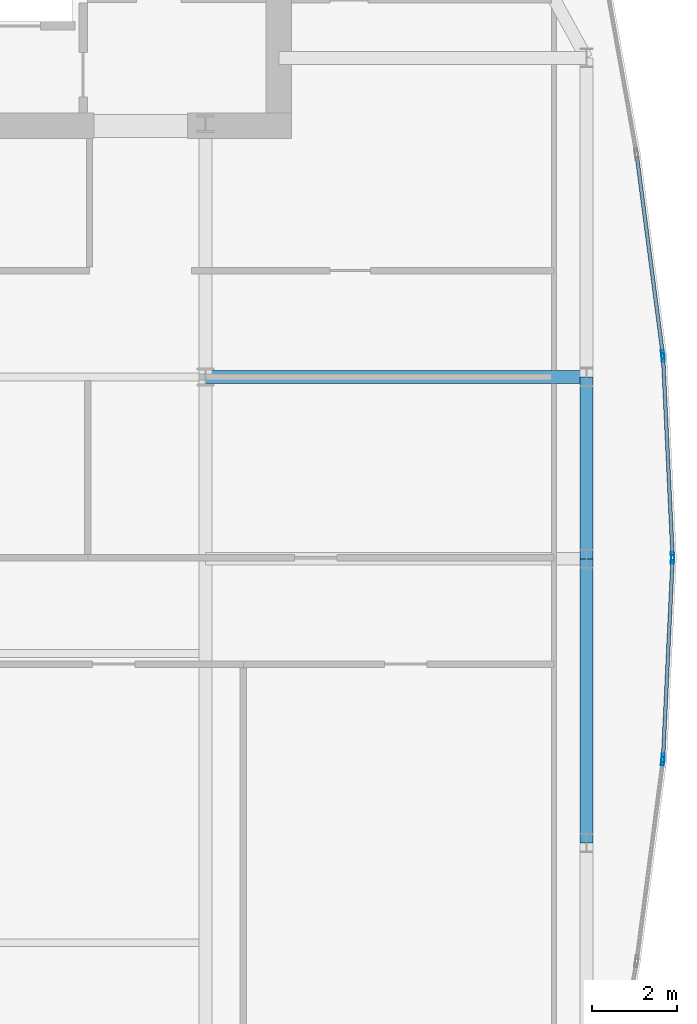
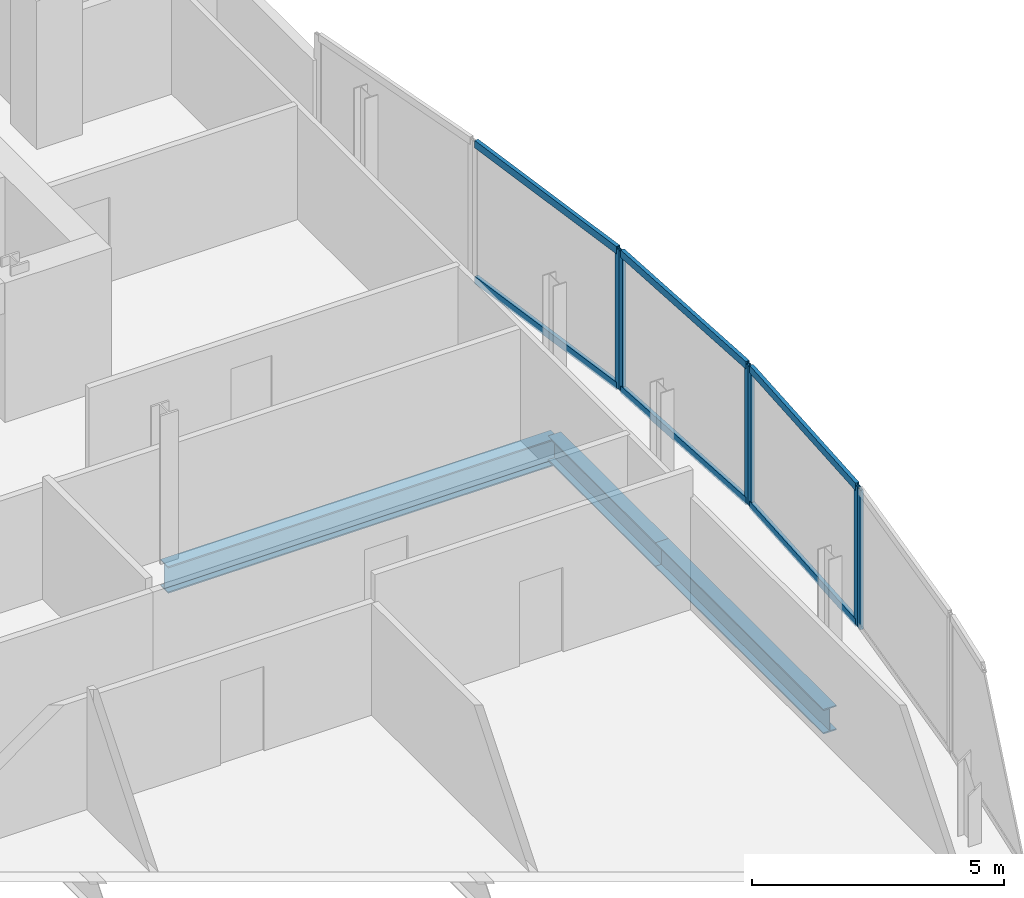
# One storey, part 18 of 30: 12 members, 3 beams, 4 elements without a shape of their own.
"""IFC4 building model written with IfcOpenShell, lengths in metres."""

import ifcopenshell
import ifcopenshell.guid

model = None  # the IFC model being written
_history = None  # IfcOwnerHistory: only IFC2X3 demands one
_inside = {}  # id of a spatial element -> (the spatial element, [elements in it])
_under = {}  # id of a project, library or spatial element -> (it, [spatial elements below it])
_declared = {}  # id of a project -> (the project, [libraries it declares])
_typed = {}  # id of a type object -> (the type object, [elements of that type])
_made_of = {}  # id of a material, layer set ... -> (it, [elements and type objects made of it])


def new_model(schema):
    """Start an empty IFC model of exactly this schema.

    Asked for "IFC4X3", IfcOpenShell would pick the latest addendum, in which some entities
    have other attributes; the version numbers below select the first issue.
    IFC2X3 requires an IfcOwnerHistory on every rooted entity: one is made here for all.
    """
    global model, _history
    if schema == "IFC4X3":
        model = ifcopenshell.file(schema_version=(4, 3, 0, 0))
    else:
        model = ifcopenshell.file(schema=schema)
    _inside.clear()
    _under.clear()
    _declared.clear()
    _typed.clear()
    _made_of.clear()
    _history = None
    if model.schema == "IFC2X3":
        org = make("IfcOrganization", Name="unknown")
        user = make(
            "IfcPersonAndOrganization",
            ThePerson=make("IfcPerson", FamilyName="unknown"),
            TheOrganization=org,
        )
        app = make(
            "IfcApplication",
            ApplicationDeveloper=org,
            Version="unknown",
            ApplicationFullName="unknown",
            ApplicationIdentifier="unknown",
        )
        _history = make(
            "IfcOwnerHistory",
            OwningUser=user,
            OwningApplication=app,
            ChangeAction="ADDED",
            CreationDate=0,
        )
    return model


def make(cls, **values):
    """One entity of the class cls with the attributes given. An attribute that is None is left unset."""
    return model.create_entity(
        cls, **{name: value for name, value in values.items() if value is not None}
    )


def rooted(cls, **values):
    """An entity with a GlobalId (a new one), such as an element, a storey or a relation."""
    return make(cls, GlobalId=ifcopenshell.guid.new(), OwnerHistory=_history, **values)


def si_unit(unit_type, name, prefix=None):
    """IfcSIUnit, for example si_unit("LENGTHUNIT", "METRE", prefix="MILLI")."""
    return make("IfcSIUnit", UnitType=unit_type, Prefix=prefix, Name=name)


def assignment(units):
    """IfcUnitAssignment: the units of a project."""
    return None if units is None else make("IfcUnitAssignment", Units=units)


def point(xyz):
    """IfcCartesianPoint."""
    return None if xyz is None else make("IfcCartesianPoint", Coordinates=xyz)


def direction(xyz):
    """IfcDirection."""
    return None if xyz is None else make("IfcDirection", DirectionRatios=xyz)


def frame(location, z_axis=None, x_axis=None):
    """IfcAxis2Placement3D, a coordinate frame: its origin and axes. An axis left out is left unset."""
    return make(
        "IfcAxis2Placement3D",
        Location=point(location),
        Axis=direction(z_axis),
        RefDirection=direction(x_axis),
    )


def frame_2d(location, x_axis=None):
    """IfcAxis2Placement2D, a coordinate frame in the plane: its origin and x axis."""
    return make(
        "IfcAxis2Placement2D", Location=point(location), RefDirection=direction(x_axis)
    )


def origin():
    """The frame at (0, 0, 0) with its axes left unset."""
    return frame((0.0, 0.0, 0.0))


def origin_2d():
    """The frame at (0, 0) in the plane with its x axis left unset."""
    return frame_2d((0.0, 0.0))


def place(relative_to, where):
    """IfcLocalPlacement: puts the frame where relative to a parent placement (None: the world)."""
    return make(
        "IfcLocalPlacement", PlacementRelTo=relative_to, RelativePlacement=where
    )


def context(
    kind, dimensions, precision=None, world=None, true_north=None, identifier=None
):
    """IfcGeometricRepresentationContext, for example the 3D "Model" context."""
    return make(
        "IfcGeometricRepresentationContext",
        ContextIdentifier=identifier,
        ContextType=kind,
        CoordinateSpaceDimension=dimensions,
        Precision=precision,
        WorldCoordinateSystem=world,
        TrueNorth=true_north,
    )


def subcontext(parent, identifier, kind, view, scale=None):
    """IfcGeometricRepresentationSubContext, for example "Body" below "Model"."""
    return make(
        "IfcGeometricRepresentationSubContext",
        ContextIdentifier=identifier,
        ContextType=kind,
        ParentContext=parent,
        TargetScale=scale,
        TargetView=view,
    )


def project(units=None, contexts=None):
    """IfcProject with its units and contexts."""
    return rooted(
        "IfcProject",
        Name="project",
        RepresentationContexts=contexts,
        UnitsInContext=assignment(units),
    )


def spatial(cls, under=None, at=None, **own):
    """A site, building, storey or space (cls), placed at a placement, below another one or the project."""
    s = rooted(cls, ObjectPlacement=at, **own)
    if under is not None:
        _under.setdefault(under.id(), (under, []))[1].append(s)
    return s


def profile(cls, at=None, kind="AREA", **sizes):
    """A parametric profile (cls). Its sizes go by their IFC names, for example OverallWidth=200.0."""
    return make(cls, ProfileType=kind, Position=at, **sizes)


def hollow_rectangle(**sizes):
    """IfcRectangleHollowProfileDef."""
    return profile("IfcRectangleHollowProfileDef", **sizes)


def i_section(**sizes):
    """IfcIShapeProfileDef."""
    return profile("IfcIShapeProfileDef", **sizes)


def extrude(swept, where, along, depth):
    """IfcExtrudedAreaSolid: the profile swept, set in the frame where, extruded along a direction by depth."""
    return make(
        "IfcExtrudedAreaSolid",
        SweptArea=swept,
        Position=where,
        ExtrudedDirection=direction(along),
        Depth=depth,
    )


def shape(context_of_items, identifier, shape_type, items):
    """IfcShapeRepresentation: the items that make up one representation, for example the "Body"."""
    return make(
        "IfcShapeRepresentation",
        ContextOfItems=context_of_items,
        RepresentationIdentifier=identifier,
        RepresentationType=shape_type,
        Items=items,
    )


def material(Name=None, Category=None):
    """IfcMaterial."""
    return make("IfcMaterial", Name=Name, Category=Category)


def material_profile(
    of_material, cross_section, Name=None, Category=None, Priority=None
):
    """IfcMaterialProfile: a cross section and its material."""
    return make(
        "IfcMaterialProfile",
        Name=Name,
        Material=of_material,
        Profile=cross_section,
        Priority=Priority,
        Category=Category,
    )


def profile_set(profiles, Name=None, composite=None):
    """IfcMaterialProfileSet."""
    return make(
        "IfcMaterialProfileSet",
        Name=Name,
        MaterialProfiles=profiles,
        CompositeProfile=composite,
    )


def made_of(thing, what):
    """Note that an element or type object is made of a material, layer set ...; save() writes the relation."""
    if what is not None:
        _made_of.setdefault(what.id(), (what, []))[1].append(thing)
    return thing


def type_object(cls, material=None, **own):
    """A type object (cls), such as IfcWallType, which elements share."""
    return made_of(rooted(cls, **own), material)


def element(
    cls,
    number,
    at=None,
    inside=None,
    cuts=None,
    type_object=None,
    material=None,
    context=None,
    identifier="Body",
    shape_type=None,
    held_by="IfcProductDefinitionShape",
    body=None,
    shapes=None,
    **own,
):
    """One element of the class cls, such as IfcWall. Its Tag is "e" and its number.

    at: its placement. inside: the storey or other place that contains it. cuts: it is an
    opening in that element (IfcRelVoidsElement). A single representation is given by context,
    identifier, shape_type and body (its items); several are given by shapes. held_by: the class
    of the entity that holds the representations. save() writes the other relations.
    """
    e = rooted(cls, Tag="e%d" % number, ObjectPlacement=at, **own)
    if body is not None:
        shapes = [shape(context, identifier, shape_type, body)]
    if shapes is not None:
        e.Representation = make(held_by, Representations=shapes)
    if inside is not None:
        _inside.setdefault(inside.id(), (inside, []))[1].append(e)
    if cuts is not None:
        rooted(
            "IfcRelVoidsElement", RelatingBuildingElement=cuts, RelatedOpeningElement=e
        )
    if type_object is not None:
        _typed.setdefault(type_object.id(), (type_object, []))[1].append(e)
    return made_of(e, material)


def aggregate(whole, parts):
    """IfcRelAggregates: a whole, such as a stair, and the parts it consists of."""
    return rooted("IfcRelAggregates", RelatingObject=whole, RelatedObjects=parts)


def save(model, path):
    """Write the relations noted so far, then the file.

    IfcRelAggregates (storeys below a building ...), IfcRelContainedInSpatialStructure (elements
    in a storey), IfcRelDefinesByType, IfcRelAssociatesMaterial and IfcRelDeclares: one each for
    every whole, place, type object, material and project.
    """
    for whole, parts in _under.values():
        aggregate(whole, parts)
    for where, things in _inside.values():
        rooted(
            "IfcRelContainedInSpatialStructure",
            RelatedElements=things,
            RelatingStructure=where,
        )
    for kind, things in _typed.values():
        rooted("IfcRelDefinesByType", RelatedObjects=things, RelatingType=kind)
    for what, things in _made_of.values():
        rooted("IfcRelAssociatesMaterial", RelatedObjects=things, RelatingMaterial=what)
    for by, libraries in _declared.values():
        rooted("IfcRelDeclares", RelatingContext=by, RelatedDefinitions=libraries)
    model.write(path)


model = new_model("IFC4")

# Units and contexts
model_context = context("Model", 3, precision=1e-05, world=origin(), true_north=direction((0.0, 1.0)))
body_context = subcontext(model_context, "Body", "Model", "MODEL_VIEW")
ifc_project = project(units=[si_unit("LENGTHUNIT", "METRE"), si_unit("AREAUNIT", "SQUARE_METRE"), si_unit("VOLUMEUNIT", "CUBIC_METRE"), si_unit("PLANEANGLEUNIT", "RADIAN"), si_unit("MASSUNIT", "GRAM", prefix="KILO")], contexts=[model_context])

# Site, building, storey
site_placement = place(None, origin())
site = spatial("IfcSite", under=ifc_project, at=site_placement, CompositionType="ELEMENT")
building_placement = place(site_placement, origin())
building = spatial("IfcBuilding", under=site, at=building_placement, Name="Khoronbel Lancet Exchange", CompositionType="ELEMENT")
storey_placement = place(building_placement, frame((0.0, 0.0, 253.39990234375)))
storey = spatial("IfcBuildingStorey", under=building, at=storey_placement, Name="L65", CompositionType="ELEMENT", Elevation=253.39990234375)

# Beams
ifc_material_1 = material(Name="Steel S355", Category="steel")
ifc_material_profile_1 = material_profile(ifc_material_1, i_section(OverallWidth=0.300048828125, OverallDepth=0.64990234375, WebThickness=0.01611328125, FlangeThickness=0.031005859375, at=origin_2d()), Name="HEB 650")
ifc_profile_set_1 = profile_set([ifc_material_profile_1], Name="Steel S355")
beam_type_1 = type_object("IfcBeamType", Name="BM-BG4", PredefinedType="BEAM", material=ifc_profile_set_1)
beam_1_placement = place(storey_placement, frame((54.675048828125, 35.699951171875, -0.48486328125), z_axis=(1.0, 0.0, 0.0), x_axis=(0.0, 1.0, 0.0)))
element("IfcBeam", 1, at=beam_1_placement, inside=storey, type_object=beam_type_1, Name="Level L65 east lens tie girder LG4E", PredefinedType="BEAM", context=body_context, shape_type="SweptSolid", body=[
    extrude(i_section(OverallWidth=0.300048828125, OverallDepth=0.64990234375, WebThickness=0.01611328125, FlangeThickness=0.031005859375, at=origin_2d()), origin(), (0.0, 0.0, 1.0), 8.954833984375),
])
ifc_material_profile_2 = material_profile(ifc_material_1, i_section(OverallWidth=0.300048828125, OverallDepth=0.60009765625, WebThickness=0.015380859375, FlangeThickness=0.030029296875, at=origin_2d()), Name="HEB 600")
ifc_profile_set_2 = profile_set([ifc_material_profile_2], Name="Steel S355")
beam_type_2 = type_object("IfcBeamType", Name="BM-BSP2", PredefinedType="SPANDREL", material=ifc_profile_set_2)
beam_2_placement = place(storey_placement, frame((63.6298828125, 24.75, -0.4599609375), z_axis=(0.0, 1.0, 0.0), x_axis=(-1.0, 0.0, 0.0)))
element("IfcBeam", 2, at=beam_2_placement, inside=storey, type_object=beam_type_2, Name="Level L65 perimeter spandrel beam SP12", PredefinedType="SPANDREL", context=body_context, shape_type="SweptSolid", body=[
    extrude(i_section(OverallWidth=0.300048828125, OverallDepth=0.60009765625, WebThickness=0.015380859375, FlangeThickness=0.030029296875, at=origin_2d()), origin(), (0.0, 0.0, 1.0), 6.675048828125),
])
beam_3_placement = place(storey_placement, frame((63.6298828125, 31.425048828125, -0.4599609375), z_axis=(0.0, 1.0, 0.0), x_axis=(-1.0, 0.0, 0.0)))
element("IfcBeam", 3, at=beam_3_placement, inside=storey, type_object=beam_type_2, Name="Level L65 perimeter spandrel beam SP13", PredefinedType="SPANDREL", context=body_context, shape_type="SweptSolid", body=[
    extrude(i_section(OverallWidth=0.300048828125, OverallDepth=0.60009765625, WebThickness=0.015380859375, FlangeThickness=0.030029296875, at=origin_2d()), origin(), (0.0, 0.0, 1.0), 4.27490234375),
])

# Curtain wall, member
ifc_material_2 = material(Name="Low-E Solar Control Insulating Glass", Category="glass")
curtain_wall_type = type_object("IfcCurtainWallType", Name="CW-4", PredefinedType="NOTDEFINED", material=ifc_material_2)
curtain_wall_1_placement = place(storey_placement, origin())
curtain_wall_1 = element("IfcCurtainWall", 4, at=curtain_wall_1_placement, inside=storey, type_object=curtain_wall_type, Name="Unitised curtain wall CW-L65-E18", PredefinedType="NOTDEFINED")
ifc_material_3 = material(Name="Bronze-Anodised Aluminium 6063-T6", Category="aluminium")
ifc_material_profile_3 = material_profile(ifc_material_3, hollow_rectangle(XDim=0.074951171875, YDim=0.199951171875, WallThickness=0.0048828125, at=origin_2d()), Name="ALU MULLION 75x200")
ifc_profile_set_3 = profile_set([ifc_material_profile_3], Name="Bronze-Anodised Aluminium 6063-T6")
member_type_1 = type_object("IfcMemberType", Name="MEM-CWM2", PredefinedType="MULLION", material=ifc_profile_set_3)
member_1_placement = place(storey_placement, frame((65.4248046875, 36.229248046875, 0.0), z_axis=(0.0, 0.0, 1.0), x_axis=(0.991560388751, 0.129645653456, 0.0)))
member_1 = element("IfcMember", 5, at=member_1_placement, type_object=member_type_1, Name="CW4 mullion 2", PredefinedType="MULLION", context=body_context, shape_type="SweptSolid", body=[
    extrude(hollow_rectangle(XDim=0.074951171875, YDim=0.199951171875, WallThickness=0.0048828125, at=origin_2d()), origin(), (0.0, 0.0, 1.0), 3.380126953125),
])

# Curtain wall, members
curtain_wall_2_placement = place(storey_placement, origin())
curtain_wall_2 = element("IfcCurtainWall", 6, at=curtain_wall_2_placement, inside=storey, type_object=curtain_wall_type, Name="Unitised curtain wall CW-L65-E19", PredefinedType="NOTDEFINED")
member_2_placement = place(storey_placement, frame((65.431396484375, 36.154541015625, 0.0), z_axis=(0.0, 0.0, 1.0), x_axis=(0.998857198159, 0.047794326923, 0.0)))
member_2 = element("IfcMember", 7, at=member_2_placement, type_object=member_type_1, Name="CW4 mullion 1", PredefinedType="MULLION", context=body_context, shape_type="SweptSolid", body=[
    extrude(hollow_rectangle(XDim=0.074951171875, YDim=0.199951171875, WallThickness=0.0048828125, at=origin_2d()), origin(), (0.0, 0.0, 1.0), 3.380126953125),
])
member_3_placement = place(storey_placement, frame((65.65478515625, 31.487548828125, 0.0), z_axis=(0.0, 0.0, 1.0), x_axis=(0.998857198159, 0.047794326923, 0.0)))
member_3 = element("IfcMember", 8, at=member_3_placement, type_object=member_type_1, Name="CW4 mullion 2", PredefinedType="MULLION", context=body_context, shape_type="SweptSolid", body=[
    extrude(hollow_rectangle(XDim=0.074951171875, YDim=0.199951171875, WallThickness=0.0048828125, at=origin_2d()), origin(), (0.0, 0.0, 1.0), 3.380126953125),
])

curtain_wall_3_placement = place(storey_placement, origin())
curtain_wall_3 = element("IfcCurtainWall", 9, at=curtain_wall_3_placement, inside=storey, type_object=curtain_wall_type, Name="Unitised curtain wall CW-L65-E20", PredefinedType="NOTDEFINED")
member_4_placement = place(storey_placement, frame((65.65478515625, 31.41259765625, 0.0), z_axis=(0.0, 0.0, 1.0), x_axis=(0.998857198159, -0.047794326923, 0.0)))
member_4 = element("IfcMember", 10, at=member_4_placement, type_object=member_type_1, Name="CW4 mullion 1", PredefinedType="MULLION", context=body_context, shape_type="SweptSolid", body=[
    extrude(hollow_rectangle(XDim=0.074951171875, YDim=0.199951171875, WallThickness=0.0048828125, at=origin_2d()), origin(), (0.0, 0.0, 1.0), 3.380126953125),
])
member_5_placement = place(storey_placement, frame((65.431396484375, 26.745361328125, 0.0), z_axis=(0.0, 0.0, 1.0), x_axis=(0.998857198159, -0.047794326923, 0.0)))
member_5 = element("IfcMember", 11, at=member_5_placement, type_object=member_type_1, Name="CW4 mullion 2", PredefinedType="MULLION", context=body_context, shape_type="SweptSolid", body=[
    extrude(hollow_rectangle(XDim=0.074951171875, YDim=0.199951171875, WallThickness=0.0048828125, at=origin_2d()), origin(), (0.0, 0.0, 1.0), 3.380126953125),
])

# Curtain wall, member
curtain_wall_4_placement = place(storey_placement, origin())
curtain_wall_4 = element("IfcCurtainWall", 12, at=curtain_wall_4_placement, inside=storey, type_object=curtain_wall_type, Name="Unitised curtain wall CW-L65-E21", PredefinedType="NOTDEFINED")
member_6_placement = place(storey_placement, frame((65.4248046875, 26.6708984375, 0.0), z_axis=(0.0, 0.0, 1.0), x_axis=(0.991560388751, -0.129645653456, 0.0)))
member_6 = element("IfcMember", 13, at=member_6_placement, type_object=member_type_1, Name="CW4 mullion 1", PredefinedType="MULLION", context=body_context, shape_type="SweptSolid", body=[
    extrude(hollow_rectangle(XDim=0.074951171875, YDim=0.199951171875, WallThickness=0.0048828125, at=origin_2d()), origin(), (0.0, 0.0, 1.0), 3.380126953125),
])
aggregate(curtain_wall_4, [member_6])

# Member
ifc_material_profile_4 = material_profile(ifc_material_3, hollow_rectangle(XDim=0.0849609375, YDim=0.179931640625, WallThickness=0.0048828125, at=origin_2d()), Name="ALU TRANSOM 85x180")
ifc_profile_set_4 = profile_set([ifc_material_profile_4], Name="Bronze-Anodised Aluminium 6063-T6")
member_type_2 = type_object("IfcMemberType", Name="MEM-CWT1", PredefinedType="USERDEFINED", material=ifc_profile_set_4)
member_7_placement = place(storey_placement, frame((64.819091796875, 40.86181640625, 0.04248046875), z_axis=(0.129640951477, -0.991561003519, 0.0), x_axis=(0.991561003519, 0.129640951477, 0.0)))
member_7 = element("IfcMember", 14, at=member_7_placement, type_object=member_type_2, Name="CW4 transom 1.1", ObjectType="TRANSOM", PredefinedType="USERDEFINED", context=body_context, shape_type="SweptSolid", body=[
    extrude(hollow_rectangle(XDim=0.0849609375, YDim=0.179931640625, WallThickness=0.0048828125, at=origin_2d()), origin(), (0.0, 0.0, 1.0), 4.634521484375),
])

member_8_placement = place(storey_placement, frame((64.819091796875, 40.86181640625, 3.337646484375), z_axis=(0.129640951477, -0.991561003519, 0.0), x_axis=(0.991561003519, 0.129640951477, 0.0)))
member_8 = element("IfcMember", 15, at=member_8_placement, type_object=member_type_2, Name="CW4 transom 1.2", ObjectType="TRANSOM", PredefinedType="USERDEFINED", context=body_context, shape_type="SweptSolid", body=[
    extrude(hollow_rectangle(XDim=0.0849609375, YDim=0.179931640625, WallThickness=0.0048828125, at=origin_2d()), origin(), (0.0, 0.0, 1.0), 4.634521484375),
])

aggregate(curtain_wall_1, [member_1, member_7, member_8])

member_9_placement = place(storey_placement, frame((65.43310546875, 36.1171875, 0.04248046875), z_axis=(0.047792215273, -0.998857299197, 0.0), x_axis=(0.998857299197, 0.047792215273, 0.0)))
member_9 = element("IfcMember", 16, at=member_9_placement, type_object=member_type_2, Name="CW4 transom 1.1", ObjectType="TRANSOM", PredefinedType="USERDEFINED", context=body_context, shape_type="SweptSolid", body=[
    extrude(hollow_rectangle(XDim=0.0849609375, YDim=0.179931640625, WallThickness=0.0048828125, at=origin_2d()), origin(), (0.0, 0.0, 1.0), 4.59765625),
])

member_10_placement = place(storey_placement, frame((65.43310546875, 36.1171875, 3.337646484375), z_axis=(0.047792215273, -0.998857299197, 0.0), x_axis=(0.998857299197, 0.047792215273, 0.0)))
member_10 = element("IfcMember", 17, at=member_10_placement, type_object=member_type_2, Name="CW4 transom 1.2", ObjectType="TRANSOM", PredefinedType="USERDEFINED", context=body_context, shape_type="SweptSolid", body=[
    extrude(hollow_rectangle(XDim=0.0849609375, YDim=0.179931640625, WallThickness=0.0048828125, at=origin_2d()), origin(), (0.0, 0.0, 1.0), 4.59765625),
])

aggregate(curtain_wall_2, [member_2, member_3, member_9, member_10])

member_11_placement = place(storey_placement, frame((65.65283203125, 31.375, 0.04248046875), z_axis=(-0.047794750391, -0.998857177896, 0.0), x_axis=(0.998857177896, -0.047794750391, 0.0)))
member_11 = element("IfcMember", 18, at=member_11_placement, type_object=member_type_2, Name="CW4 transom 1.1", ObjectType="TRANSOM", PredefinedType="USERDEFINED", context=body_context, shape_type="SweptSolid", body=[
    extrude(hollow_rectangle(XDim=0.0849609375, YDim=0.179931640625, WallThickness=0.0048828125, at=origin_2d()), origin(), (0.0, 0.0, 1.0), 4.597412109375),
])

member_12_placement = place(storey_placement, frame((65.65283203125, 31.375, 3.337646484375), z_axis=(-0.047794750391, -0.998857177896, 0.0), x_axis=(0.998857177896, -0.047794750391, 0.0)))
member_12 = element("IfcMember", 19, at=member_12_placement, type_object=member_type_2, Name="CW4 transom 1.2", ObjectType="TRANSOM", PredefinedType="USERDEFINED", context=body_context, shape_type="SweptSolid", body=[
    extrude(hollow_rectangle(XDim=0.0849609375, YDim=0.179931640625, WallThickness=0.0048828125, at=origin_2d()), origin(), (0.0, 0.0, 1.0), 4.597412109375),
])

aggregate(curtain_wall_3, [member_4, member_5, member_11, member_12])

save(model, "model.ifc")
